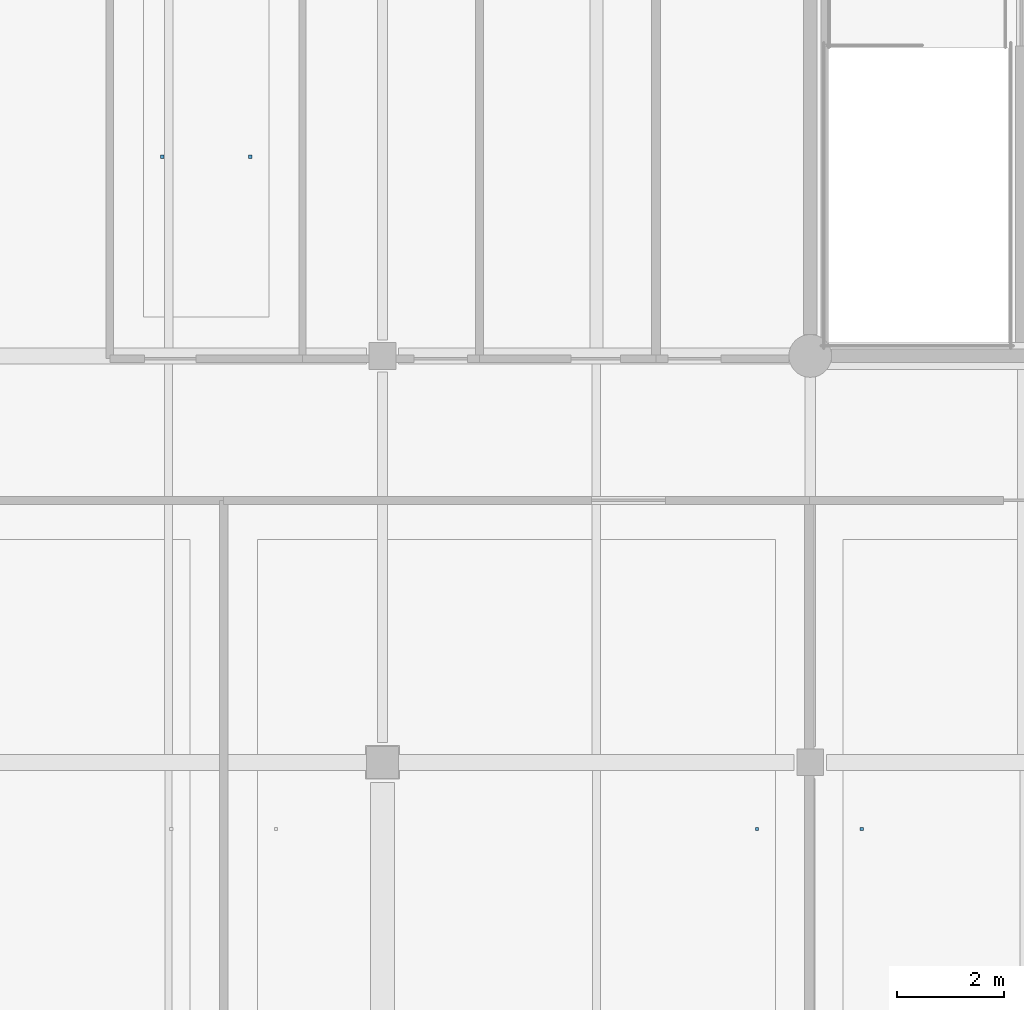
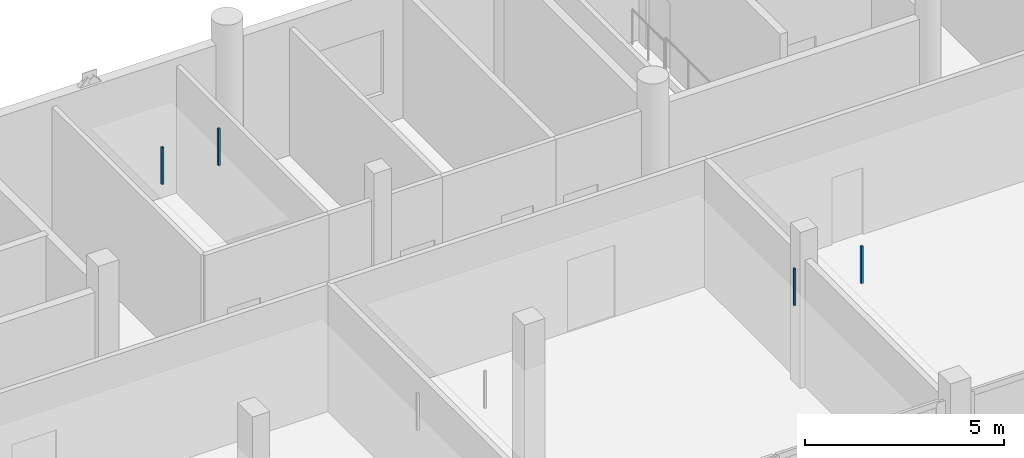
# One storey, part 15 of 18: 4 discrete accessories.
"""IFC4 building model written with IfcOpenShell, lengths in metres."""

from ifc_helpers import new_model, si_unit, direction, frame, origin, origin_2d, place, context, subcontext, project, spatial, rectangle, extrude, material, type_object, element, save


model = new_model("IFC4")

# Units and contexts
model_context = context("Model", 3, precision=1e-05, world=origin(), true_north=direction((0.0, 1.0)))
body_context = subcontext(model_context, "Body", "Model", "MODEL_VIEW")
ifc_project = project(units=[si_unit("LENGTHUNIT", "METRE"), si_unit("AREAUNIT", "SQUARE_METRE"), si_unit("VOLUMEUNIT", "CUBIC_METRE"), si_unit("PLANEANGLEUNIT", "RADIAN"), si_unit("MASSUNIT", "GRAM", prefix="KILO")], contexts=[model_context])

# Site, building, storey
site_placement = place(None, origin())
site = spatial("IfcSite", under=ifc_project, at=site_placement, CompositionType="ELEMENT")
building_placement = place(site_placement, origin())
building = spatial("IfcBuilding", under=site, at=building_placement, Name="Khelvaren Railside Concert Hall", CompositionType="ELEMENT")
storey_placement = place(building_placement, frame((0.0, 0.0, 24.60009765625)))
storey = spatial("IfcBuildingStorey", under=building, at=storey_placement, Name="L05", CompositionType="ELEMENT", Elevation=24.60009765625)

# Discrete accessories
ifc_material = material(Name="Galvanised steel acoustic ceiling hanger rod", Category="steel")
discrete_accessory_type = type_object("IfcDiscreteAccessoryType", Name="BRK62", PredefinedType="BRACKET", material=ifc_material)
for number, where, z_axis, x_axis, name in (
    (1, (167.00390625, 97.550048828125, 3.43017578125), (0.0, 0.0, 1.0), (1.0, 0.0, 0.0), "Acoustic Ceiling Suspension Bracket 170-2"),
    (2, (168.964111328125, 97.550048828125, 3.43017578125), (0.0, 0.0, 1.0), (1.0, 0.0, 0.0), "Acoustic Ceiling Suspension Bracket 171-1"),
    (3, (155.8798828125, 110.125, 3.43017578125), (0.0, 0.0, 1.0), (1.0, 0.0, 0.0), "Acoustic Ceiling Suspension Bracket 173-1"),
    (4, (157.52587890625, 110.125, 3.43017578125), (0.0, 0.0, 1.0), (1.0, 0.0, 0.0), "Acoustic Ceiling Suspension Bracket 173-2"),
):
    element("IfcDiscreteAccessory", number, at=place(storey_placement, frame(where, z_axis=z_axis, x_axis=x_axis)), inside=storey, type_object=discrete_accessory_type, Name=name, PredefinedType="BRACKET", context=body_context, shape_type="SweptSolid", body=[
        extrude(rectangle(XDim=0.06005859375, YDim=0.06005859375, at=origin_2d()), origin(), (0.0, 0.0, 1.0), 1.139892578125),
    ])

save(model, "model.ifc")
